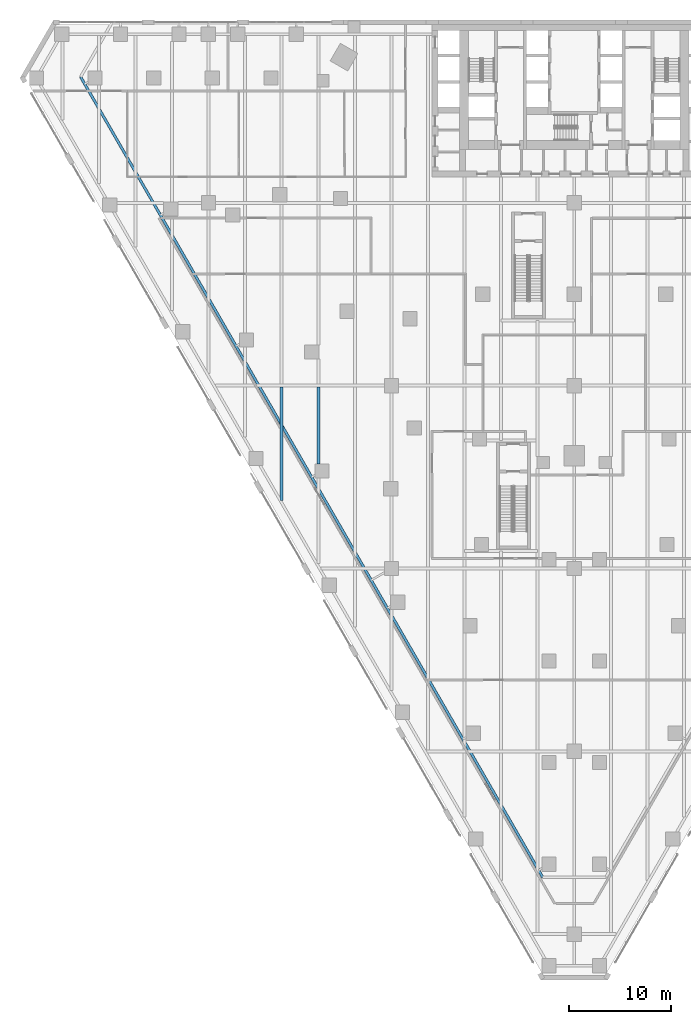
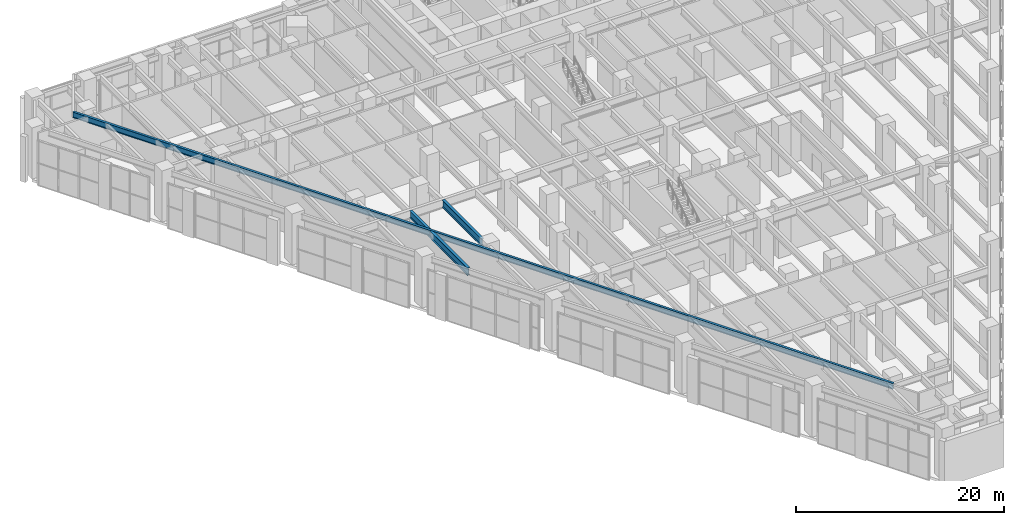
# One storey, part 7 of 37: 3 beams.
"""IFC4 building model written with IfcOpenShell, lengths in metres."""

from ifc_helpers import new_model, si_unit, direction, frame, origin, origin_2d, place, context, subcontext, project, spatial, i_section, extrude, material, material_profile, profile_set, type_object, element, save


model = new_model("IFC4")

# Units and contexts
model_context = context("Model", 3, precision=1e-05, world=origin(), true_north=direction((0.0, 1.0)))
body_context = subcontext(model_context, "Body", "Model", "MODEL_VIEW")
ifc_project = project(units=[si_unit("LENGTHUNIT", "METRE"), si_unit("AREAUNIT", "SQUARE_METRE"), si_unit("VOLUMEUNIT", "CUBIC_METRE"), si_unit("PLANEANGLEUNIT", "RADIAN"), si_unit("MASSUNIT", "GRAM", prefix="KILO")], contexts=[model_context])

# Site, building, storey
site_placement = place(None, origin())
site = spatial("IfcSite", under=ifc_project, at=site_placement, CompositionType="ELEMENT")
building_placement = place(site_placement, origin())
building = spatial("IfcBuilding", under=site, at=building_placement, Name="Aloe Facet Convention Tower", CompositionType="ELEMENT")
storey_placement = place(building_placement, frame((0.0, 0.0, 7.5)))
storey = spatial("IfcBuildingStorey", under=building, at=storey_placement, Name="L01", CompositionType="ELEMENT", Elevation=7.5)

# Beams
ifc_material_1 = material(Name="Steel S355", Category="steel")
ifc_material_profile_1 = material_profile(ifc_material_1, i_section(OverallWidth=0.25439453125, OverallDepth=0.6875, WebThickness=0.01318359375, FlangeThickness=0.02099609375, FilletRadius=0.01513671875, at=origin_2d()), Name="UB 686x254x152")
ifc_profile_set_1 = profile_set([ifc_material_profile_1], Name="Steel S355")
beam_type_1 = type_object("IfcBeamType", Name="EV-EB-UB686x254x152", PredefinedType="BEAM", material=ifc_profile_set_1)
beam_1_placement = place(storey_placement, frame((31.40087890625, 129.396728515625, 5.356201171875), z_axis=(0.500001482177, -0.866024548048, 0.0), x_axis=(0.866024548048, 0.500001482177, 0.0)))
element("IfcBeam", 1, at=beam_1_placement, inside=storey, type_object=beam_type_1, Name="EB-L02-W", PredefinedType="BEAM", context=body_context, shape_type="SweptSolid", body=[
    extrude(i_section(OverallWidth=0.25439453125, OverallDepth=0.6875, WebThickness=0.01318359375, FlangeThickness=0.02099609375, FilletRadius=0.01513671875, at=origin_2d()), origin(), (0.0, 0.0, 1.0), 90.988037109375),
])
ifc_material_2 = material(Name="Steel S355", Category="steel")
ifc_material_profile_2 = material_profile(ifc_material_2, i_section(OverallWidth=0.293701171875, OverallDepth=0.850830078125, WebThickness=0.01611328125, FlangeThickness=0.02685546875, FilletRadius=0.017822265625, at=origin_2d()), Name="UB 838x292x226")
ifc_profile_set_2 = profile_set([ifc_material_profile_2], Name="Steel S355")
beam_type_2 = type_object("IfcBeamType", Name="SF-B-UB838x292x226", PredefinedType="BEAM", material=ifc_profile_set_2)
beam_2_placement = place(storey_placement, frame((51.199951171875, 87.718017578125, 5.2744140625), z_axis=(0.0, 1.0, 0.0), x_axis=(-1.0, 0.0, 0.0)))
element("IfcBeam", 2, at=beam_2_placement, inside=storey, type_object=beam_type_2, Name="Floor beam FB-L02-064", PredefinedType="BEAM", context=body_context, shape_type="SweptSolid", body=[
    extrude(i_section(OverallWidth=0.293701171875, OverallDepth=0.850830078125, WebThickness=0.01611328125, FlangeThickness=0.02685546875, FilletRadius=0.017822265625, at=origin_2d()), origin(), (0.0, 0.0, 1.0), 11.12939453125),
])
beam_3_placement = place(storey_placement, frame((54.800048828125, 91.284912109375, 5.2744140625), z_axis=(0.0, 1.0, 0.0), x_axis=(-1.0, 0.0, 0.0)))
element("IfcBeam", 3, at=beam_3_placement, inside=storey, type_object=beam_type_2, Name="Floor beam FB-L02-068", PredefinedType="BEAM", context=body_context, shape_type="SweptSolid", body=[
    extrude(i_section(OverallWidth=0.293701171875, OverallDepth=0.850830078125, WebThickness=0.01611328125, FlangeThickness=0.02685546875, FilletRadius=0.017822265625, at=origin_2d()), origin(), (0.0, 0.0, 1.0), 7.5625),
])

save(model, "model.ifc")
